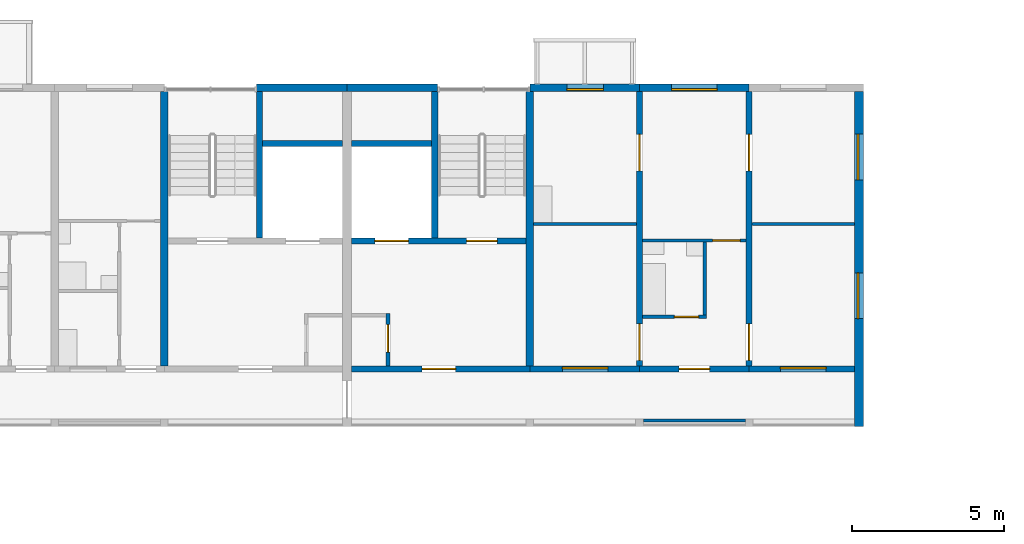
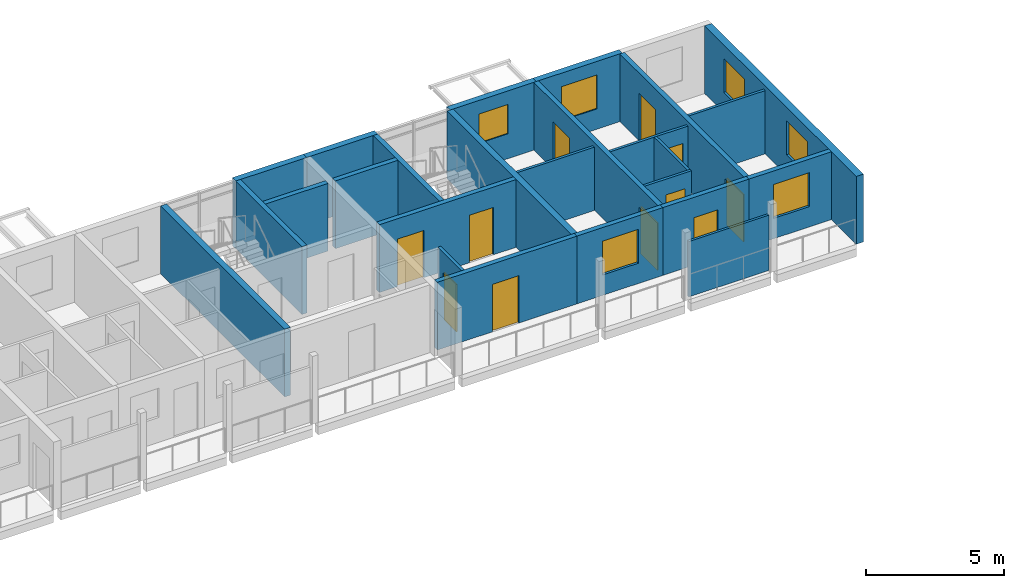
# One storey, part 72 of 115: 25 walls, 11 doors, 6 windows, 17 openings.
"""IFC4 building model written with IfcOpenShell, lengths in metres."""

from ifc_helpers import new_model, si_unit, direction, frame, frame_2d, origin, place, context, subcontext, project, spatial, rectangle, extrude, material, layer, layer_set, type_object, element, fill, save


model = new_model("IFC4")

# Units and contexts
model_context = context("Model", 3, precision=1e-05, world=origin(), true_north=direction((0.0, 1.0)))
body_context = subcontext(model_context, "Body", "Model", "MODEL_VIEW")
ifc_project = project(units=[si_unit("LENGTHUNIT", "METRE"), si_unit("AREAUNIT", "SQUARE_METRE"), si_unit("VOLUMEUNIT", "CUBIC_METRE"), si_unit("PLANEANGLEUNIT", "RADIAN"), si_unit("MASSUNIT", "GRAM", prefix="KILO")], contexts=[model_context])

# Site, building, storey
site_placement = place(None, origin())
site = spatial("IfcSite", under=ifc_project, at=site_placement, CompositionType="ELEMENT")
building_placement = place(site_placement, origin())
building = spatial("IfcBuilding", under=site, at=building_placement, Name="Ridgestep Commons", CompositionType="ELEMENT")
storey_placement = place(building_placement, frame((0.0, 0.0, 6.0)))
storey = spatial("IfcBuildingStorey", under=building, at=storey_placement, Name="L02", CompositionType="ELEMENT", Elevation=6.0)

# Walls
ifc_material_1 = material(Name="Concrete C30/37", Category="concrete")
ifc_layer_1 = layer(ifc_material_1, 0.25)
ifc_layer_set_1 = layer_set([ifc_layer_1], Name="Core cross wall 250")
wall_type_1 = type_object("IfcWallType", Name="Core cross wall 250", PredefinedType="SHEAR", material=ifc_layer_set_1)
for number, where, z_axis, x_axis, name in (
    (1, (224.800048828125, 68.0, 0.0), (0.0, 0.0, 1.0), (0.0, 1.0, 0.0), "Cross wall C-02-2248"),
    (2, (236.800048828125, 68.0, 0.0), (0.0, 0.0, 1.0), (0.0, 1.0, 0.0), "Cross wall C-02-2368"),
):
    element("IfcWall", number, at=place(storey_placement, frame(where, z_axis=z_axis, x_axis=x_axis)), inside=storey, type_object=wall_type_1, Name=name, PredefinedType="SHEAR", context=body_context, shape_type="SweptSolid", body=[
        extrude(rectangle(XDim=9.0, YDim=0.25, at=frame_2d((4.5, 0.0))), origin(), (0.0, 0.0, 1.0), 3.0),
    ])

# Wall, opening, door
ifc_material_2 = material(Name="Concrete C30/37", Category="concrete")
ifc_layer_2 = layer(ifc_material_2, 0.199951171875)
ifc_layer_set_2 = layer_set([ifc_layer_2], Name="Core south wall 200")
wall_type_2 = type_object("IfcWallType", Name="Core south wall 200", PredefinedType="SHEAR", material=ifc_layer_set_2)
wall_1_placement = place(storey_placement, frame((230.949951171875, 67.89990234375, 0.0), z_axis=(0.0, 0.0, 1.0), x_axis=(1.0, 0.0, 0.0)))
wall_1 = element("IfcWall", 3, at=wall_1_placement, inside=storey, type_object=wall_type_2, Name="Core south wall C6C L02", PredefinedType="SHEAR", context=body_context, shape_type="SweptSolid", body=[
    extrude(rectangle(XDim=5.85009765625, YDim=0.199951171875, at=frame_2d((2.925048828125, 0.0))), origin(), (0.0, 0.0, 1.0), 3.0),
])
opening_1_placement = place(wall_1_placement, frame((2.3125, 0.0, 0.0)))
opening_1 = element("IfcOpeningElement", 4, at=opening_1_placement, cuts=wall_1, Name="Opening C6C/02/1", PredefinedType="OPENING", context=body_context, shape_type="SweptSolid", body=[
    extrude(rectangle(XDim=1.10009765625, YDim=2.10009765625, at=frame_2d((0.550048828125, 1.050048828125))), frame((0.0, 0.10986328125, 0.0), z_axis=(0.0, -1.0, 0.0), x_axis=(1.0, 0.0, 0.0)), (0.0, 0.0, 1.0), 0.219970703125),
])
ifc_material_3 = material(Name="Steel fire door", Category="steel")
door_type_1 = type_object("IfcDoorType", Name="Lobby door 1100 x 2100 FD60", OperationType="NOTDEFINED", PredefinedType="DOOR", material=ifc_material_3)
door_1_placement = place(opening_1_placement, origin())
door_1 = element("IfcDoor", 5, at=door_1_placement, inside=storey, type_object=door_type_1, Name="Lobby door C6C/02/1", OperationType="SINGLE_SWING_LEFT", OverallHeight=2.10009765625, OverallWidth=1.10009765625, PredefinedType="DOOR", context=body_context, shape_type="SweptSolid", body=[
    extrude(rectangle(XDim=1.10009765625, YDim=2.10009765625, at=frame_2d((0.550048828125, 1.050048828125))), frame((0.0, 0.02490234375, 0.0), z_axis=(0.0, -1.0, 0.0), x_axis=(1.0, 0.0, 0.0)), (0.0, 0.0, 1.0), 0.050048828125),
])
fill(opening_1, door_1)

ifc_material_4 = material(Name="Concrete C30/37", Category="concrete")
ifc_layer_3 = layer(ifc_material_4, 0.1201171875)
ifc_layer_set_3 = layer_set([ifc_layer_3], Name="Core wall 120")
wall_type_3 = type_object("IfcWallType", Name="Core wall 120", PredefinedType="SHEAR", material=ifc_layer_set_3)
wall_2_placement = place(storey_placement, frame((232.139892578125, 68.0, 0.0), z_axis=(0.0, 0.0, 1.0), x_axis=(0.0, 1.0, 0.0)))
wall_2 = element("IfcWall", 6, at=wall_2_placement, inside=storey, type_object=wall_type_3, Name="Core riser w wall C6C L02", PredefinedType="SHEAR", context=body_context, shape_type="SweptSolid", body=[
    extrude(rectangle(XDim=1.719970703125, YDim=0.1201171875, at=frame_2d((0.85986328125, 0.0))), origin(), (0.0, 0.0, 1.0), 3.0),
])
opening_2_placement = place(wall_2_placement, frame((0.449951171875, 0.0, 0.0)))
opening_2 = element("IfcOpeningElement", 7, at=opening_2_placement, cuts=wall_2, Name="Opening C6C/02/4", PredefinedType="OPENING", context=body_context, shape_type="SweptSolid", body=[
    extrude(rectangle(XDim=0.89990234375, YDim=2.10009765625, at=frame_2d((0.449951171875, 1.050048828125))), frame((0.0, 0.070068359375, 0.0), z_axis=(0.0, -1.0, 0.0), x_axis=(1.0, 0.0, 0.0)), (0.0, 0.0, 1.0), 0.14013671875),
])
ifc_material_5 = material(Name="Steel fire door", Category="steel")
door_type_2 = type_object("IfcDoorType", Name="Riser door 900 x 2100 FD60", OperationType="NOTDEFINED", PredefinedType="DOOR", material=ifc_material_5)
door_2_placement = place(opening_2_placement, origin())
door_2 = element("IfcDoor", 8, at=door_2_placement, inside=storey, type_object=door_type_2, Name="Riser door C6C/02/4", OperationType="SINGLE_SWING_RIGHT", OverallHeight=2.10009765625, OverallWidth=0.89990234375, PredefinedType="DOOR", context=body_context, shape_type="SweptSolid", body=[
    extrude(rectangle(XDim=0.89990234375, YDim=2.10009765625, at=frame_2d((0.449951171875, 1.050048828125))), frame((0.0, 0.02490234375, 0.0), z_axis=(0.0, -1.0, 0.0), x_axis=(1.0, 0.0, 0.0)), (0.0, 0.0, 1.0), 0.050048828125),
])
fill(opening_2, door_2)

# Walls
ifc_material_6 = material(Name="Concrete C30/37", Category="concrete")
ifc_layer_4 = layer(ifc_material_6, 0.199951171875)
ifc_layer_set_4 = layer_set([ifc_layer_4], Name="Core wall 200")
wall_type_4 = type_object("IfcWallType", Name="Core wall 200", PredefinedType="SHEAR", material=ifc_layer_set_4)
wall_3_placement = place(storey_placement, frame((227.925048828125, 72.199951171875, 0.0), z_axis=(0.0, 0.0, 1.0), x_axis=(0.0, 1.0, 0.0)))
element("IfcWall", 9, at=wall_3_placement, inside=storey, type_object=wall_type_4, Name="Core stair wall C5C L02", PredefinedType="SHEAR", context=body_context, shape_type="SweptSolid", body=[
    extrude(rectangle(XDim=4.800048828125, YDim=0.199951171875, at=frame_2d((2.39990234375, 0.0))), origin(), (0.0, 0.0, 1.0), 3.0),
])
wall_4_placement = place(storey_placement, frame((228.02490234375, 75.300048828125, 0.0), z_axis=(0.0, 0.0, 1.0), x_axis=(1.0, 0.0, 0.0)))
element("IfcWall", 10, at=wall_4_placement, inside=storey, type_object=wall_type_4, Name="Core duct wall C5C L02", PredefinedType="SHEAR", context=body_context, shape_type="SweptSolid", body=[
    extrude(rectangle(XDim=2.625, YDim=0.199951171875, at=frame_2d((1.3125, 0.0))), origin(), (0.0, 0.0, 1.0), 3.0),
])

# Wall, openings, doors
wall_5_placement = place(storey_placement, frame((230.949951171875, 72.10009765625, 0.0), z_axis=(0.0, 0.0, 1.0), x_axis=(1.0, 0.0, 0.0)))
wall_5 = element("IfcWall", 11, at=wall_5_placement, inside=storey, type_object=wall_type_4, Name="Core lobby wall C6C L02", PredefinedType="SHEAR", context=body_context, shape_type="SweptSolid", body=[
    extrude(rectangle(XDim=5.72509765625, YDim=0.199951171875, at=frame_2d((2.862548828125, 0.0))), origin(), (0.0, 0.0, 1.0), 3.0),
])
opening_3_placement = place(wall_5_placement, frame((3.77490234375, 0.0, 0.0)))
opening_3 = element("IfcOpeningElement", 12, at=opening_3_placement, cuts=wall_5, Name="Opening C6C/02/2", PredefinedType="OPENING", context=body_context, shape_type="SweptSolid", body=[
    extrude(rectangle(XDim=1.0, YDim=2.10009765625, at=frame_2d((0.5, 1.050048828125))), frame((0.0, 0.10986328125, 0.0), z_axis=(0.0, -1.0, 0.0), x_axis=(1.0, 0.0, 0.0)), (0.0, 0.0, 1.0), 0.219970703125),
])
opening_4_placement = place(wall_5_placement, frame((0.762451171875, 0.0, 0.0)))
opening_4 = element("IfcOpeningElement", 13, at=opening_4_placement, cuts=wall_5, Name="Opening C6C/02/3", PredefinedType="OPENING", context=body_context, shape_type="SweptSolid", body=[
    extrude(rectangle(XDim=1.10009765625, YDim=2.10009765625, at=frame_2d((0.550048828125, 1.050048828125))), frame((0.0, 0.10986328125, 0.0), z_axis=(0.0, -1.0, 0.0), x_axis=(1.0, 0.0, 0.0)), (0.0, 0.0, 1.0), 0.219970703125),
])
ifc_material_7 = material(Name="Stainless steel", Category="steel")
door_type_3 = type_object("IfcDoorType", Name="Lift landing door 1100 x 2100 FD60", OperationType="DOUBLE_DOOR_SLIDING", PredefinedType="DOOR", material=ifc_material_7)
door_3_placement = place(opening_4_placement, origin())
door_3 = element("IfcDoor", 14, at=door_3_placement, inside=storey, type_object=door_type_3, Name="Landing door LD C6C L02", OperationType="DOUBLE_DOOR_SLIDING", OverallHeight=2.10009765625, OverallWidth=1.10009765625, PredefinedType="DOOR", context=body_context, shape_type="SweptSolid", body=[
    extrude(rectangle(XDim=1.10009765625, YDim=2.10009765625, at=frame_2d((0.550048828125, 1.050048828125))), frame((0.0, 0.02490234375, 0.0), z_axis=(0.0, -1.0, 0.0), x_axis=(1.0, 0.0, 0.0)), (0.0, 0.0, 1.0), 0.050048828125),
])
fill(opening_4, door_3)
ifc_material_8 = material(Name="Steel fire door", Category="steel")
door_type_4 = type_object("IfcDoorType", Name="Stair door 1000 x 2100 FD60", OperationType="NOTDEFINED", PredefinedType="DOOR", material=ifc_material_8)
door_4_placement = place(opening_3_placement, origin())
door_4 = element("IfcDoor", 15, at=door_4_placement, inside=storey, type_object=door_type_4, Name="Stair door C6C/02/2", OperationType="SINGLE_SWING_RIGHT", OverallHeight=2.10009765625, OverallWidth=1.0, PredefinedType="DOOR", context=body_context, shape_type="SweptSolid", body=[
    extrude(rectangle(XDim=1.0, YDim=2.10009765625, at=frame_2d((0.5, 1.050048828125))), frame((0.0, 0.02490234375, 0.0), z_axis=(0.0, -1.0, 0.0), x_axis=(1.0, 0.0, 0.0)), (0.0, 0.0, 1.0), 0.050048828125),
])
fill(opening_3, door_4)

# Walls
wall_6_placement = place(storey_placement, frame((233.675048828125, 72.199951171875, 0.0), z_axis=(0.0, 0.0, 1.0), x_axis=(0.0, 1.0, 0.0)))
element("IfcWall", 16, at=wall_6_placement, inside=storey, type_object=wall_type_4, Name="Core stair wall C6C L02", PredefinedType="SHEAR", context=body_context, shape_type="SweptSolid", body=[
    extrude(rectangle(XDim=4.800048828125, YDim=0.199951171875, at=frame_2d((2.39990234375, 0.0))), origin(), (0.0, 0.0, 1.0), 3.0),
])
wall_7_placement = place(storey_placement, frame((230.949951171875, 75.300048828125, 0.0), z_axis=(0.0, 0.0, 1.0), x_axis=(1.0, 0.0, 0.0)))
element("IfcWall", 17, at=wall_7_placement, inside=storey, type_object=wall_type_4, Name="Core duct wall C6C L02", PredefinedType="SHEAR", context=body_context, shape_type="SweptSolid", body=[
    extrude(rectangle(XDim=2.625, YDim=0.199951171875, at=frame_2d((1.3125, 0.0))), origin(), (0.0, 0.0, 1.0), 3.0),
])

# Wall, openings, doors
ifc_material_9 = material(Name="Precast concrete C40/50", Category="concrete")
ifc_layer_5 = layer(ifc_material_9, 0.199951171875)
ifc_layer_set_5 = layer_set([ifc_layer_5], Name="Cross wall 200")
wall_type_5 = type_object("IfcWallType", Name="Cross wall 200", PredefinedType="SHEAR", material=ifc_layer_set_5)
wall_8_placement = place(storey_placement, frame((240.39990234375, 68.0, 0.0), z_axis=(0.0, 0.0, 1.0), x_axis=(0.0, 1.0, 0.0)))
wall_8 = element("IfcWall", 18, at=wall_8_placement, inside=storey, type_object=wall_type_5, Name="Cross wall C-02-2404", PredefinedType="SHEAR", context=body_context, shape_type="SweptSolid", body=[
    extrude(rectangle(XDim=9.0, YDim=0.199951171875, at=frame_2d((4.5, 0.0))), origin(), (0.0, 0.0, 1.0), 3.0),
])
opening_5_placement = place(wall_8_placement, frame((0.175048828125, 0.0, 0.0)))
opening_5 = element("IfcOpeningElement", 19, at=opening_5_placement, cuts=wall_8, Name="Opening C6-02a/4", PredefinedType="OPENING", context=body_context, shape_type="SweptSolid", body=[
    extrude(rectangle(XDim=1.199951171875, YDim=2.10009765625, at=frame_2d((0.60009765625, 1.050048828125))), frame((0.0, 0.10986328125, 0.0), z_axis=(0.0, -1.0, 0.0), x_axis=(1.0, 0.0, 0.0)), (0.0, 0.0, 1.0), 0.219970703125),
])
opening_6_placement = place(wall_8_placement, frame((6.39990234375, 0.0, 0.0)))
opening_6 = element("IfcOpeningElement", 20, at=opening_6_placement, cuts=wall_8, Name="Opening C6-02a/5", PredefinedType="OPENING", context=body_context, shape_type="SweptSolid", body=[
    extrude(rectangle(XDim=1.199951171875, YDim=2.10009765625, at=frame_2d((0.60009765625, 1.050048828125))), frame((0.0, 0.10986328125, 0.0), z_axis=(0.0, -1.0, 0.0), x_axis=(1.0, 0.0, 0.0)), (0.0, 0.0, 1.0), 0.219970703125),
])
ifc_material_10 = material(Name="Timber door leaf", Category="wood")
door_type_5 = type_object("IfcDoorType", Name="Double door 1200 x 2100", OperationType="DOUBLE_DOOR_SINGLE_SWING", PredefinedType="DOOR", material=ifc_material_10)
door_5_placement = place(opening_5_placement, origin())
door_5 = element("IfcDoor", 21, at=door_5_placement, inside=storey, type_object=door_type_5, Name="Double door C6-02a/4", OperationType="DOUBLE_DOOR_SINGLE_SWING", OverallHeight=2.10009765625, OverallWidth=1.199951171875, PredefinedType="DOOR", context=body_context, shape_type="SweptSolid", body=[
    extrude(rectangle(XDim=1.199951171875, YDim=2.10009765625, at=frame_2d((0.60009765625, 1.050048828125))), frame((0.0, 0.02490234375, 0.0), z_axis=(0.0, -1.0, 0.0), x_axis=(1.0, 0.0, 0.0)), (0.0, 0.0, 1.0), 0.050048828125),
])
fill(opening_5, door_5)
door_6_placement = place(opening_6_placement, origin())
door_6 = element("IfcDoor", 22, at=door_6_placement, inside=storey, type_object=door_type_5, Name="Double door C6-02a/5", OperationType="DOUBLE_DOOR_SINGLE_SWING", OverallHeight=2.10009765625, OverallWidth=1.199951171875, PredefinedType="DOOR", context=body_context, shape_type="SweptSolid", body=[
    extrude(rectangle(XDim=1.199951171875, YDim=2.10009765625, at=frame_2d((0.60009765625, 1.050048828125))), frame((0.0, 0.02490234375, 0.0), z_axis=(0.0, -1.0, 0.0), x_axis=(1.0, 0.0, 0.0)), (0.0, 0.0, 1.0), 0.050048828125),
])
fill(opening_6, door_6)

wall_9_placement = place(storey_placement, frame((244.0, 68.0, 0.0), z_axis=(0.0, 0.0, 1.0), x_axis=(0.0, 1.0, 0.0)))
wall_9 = element("IfcWall", 23, at=wall_9_placement, inside=storey, type_object=wall_type_5, Name="Cross wall C-02-2440", PredefinedType="SHEAR", context=body_context, shape_type="SweptSolid", body=[
    extrude(rectangle(XDim=9.0, YDim=0.199951171875, at=frame_2d((4.5, 0.0))), origin(), (0.0, 0.0, 1.0), 3.0),
])
opening_7_placement = place(wall_9_placement, frame((0.175048828125, 0.0, 0.0)))
opening_7 = element("IfcOpeningElement", 24, at=opening_7_placement, cuts=wall_9, Name="Opening C6-02a/6", PredefinedType="OPENING", context=body_context, shape_type="SweptSolid", body=[
    extrude(rectangle(XDim=1.199951171875, YDim=2.10009765625, at=frame_2d((0.60009765625, 1.050048828125))), frame((0.0, 0.10986328125, 0.0), z_axis=(0.0, -1.0, 0.0), x_axis=(1.0, 0.0, 0.0)), (0.0, 0.0, 1.0), 0.219970703125),
])
opening_8_placement = place(wall_9_placement, frame((6.39990234375, 0.0, 0.0)))
opening_8 = element("IfcOpeningElement", 25, at=opening_8_placement, cuts=wall_9, Name="Opening C6-02a/7", PredefinedType="OPENING", context=body_context, shape_type="SweptSolid", body=[
    extrude(rectangle(XDim=1.199951171875, YDim=2.10009765625, at=frame_2d((0.60009765625, 1.050048828125))), frame((0.0, 0.10986328125, 0.0), z_axis=(0.0, -1.0, 0.0), x_axis=(1.0, 0.0, 0.0)), (0.0, 0.0, 1.0), 0.219970703125),
])
door_7_placement = place(opening_7_placement, origin())
door_7 = element("IfcDoor", 26, at=door_7_placement, inside=storey, type_object=door_type_5, Name="Double door C6-02a/6", OperationType="DOUBLE_DOOR_SINGLE_SWING", OverallHeight=2.10009765625, OverallWidth=1.199951171875, PredefinedType="DOOR", context=body_context, shape_type="SweptSolid", body=[
    extrude(rectangle(XDim=1.199951171875, YDim=2.10009765625, at=frame_2d((0.60009765625, 1.050048828125))), frame((0.0, 0.02490234375, 0.0), z_axis=(0.0, -1.0, 0.0), x_axis=(1.0, 0.0, 0.0)), (0.0, 0.0, 1.0), 0.050048828125),
])
fill(opening_7, door_7)
door_8_placement = place(opening_8_placement, origin())
door_8 = element("IfcDoor", 27, at=door_8_placement, inside=storey, type_object=door_type_5, Name="Double door C6-02a/7", OperationType="DOUBLE_DOOR_SINGLE_SWING", OverallHeight=2.10009765625, OverallWidth=1.199951171875, PredefinedType="DOOR", context=body_context, shape_type="SweptSolid", body=[
    extrude(rectangle(XDim=1.199951171875, YDim=2.10009765625, at=frame_2d((0.60009765625, 1.050048828125))), frame((0.0, 0.02490234375, 0.0), z_axis=(0.0, -1.0, 0.0), x_axis=(1.0, 0.0, 0.0)), (0.0, 0.0, 1.0), 0.050048828125),
])
fill(opening_8, door_8)

# Wall, openings, windows
ifc_material_11 = material(Name="Precast concrete C40/50", Category="concrete")
ifc_layer_6 = layer(ifc_material_11, 0.300048828125)
ifc_layer_set_6 = layer_set([ifc_layer_6], Name="Exposed division wall 300")
wall_type_6 = type_object("IfcWallType", Name="Exposed division wall 300", PredefinedType="SHEAR", material=ifc_layer_set_6)
wall_10_placement = place(storey_placement, frame((247.60009765625, 66.0, 0.0), z_axis=(0.0, 0.0, 1.0), x_axis=(0.0, 1.0, 0.0)))
wall_10 = element("IfcWall", 28, at=wall_10_placement, inside=storey, type_object=wall_type_6, Name="Cross wall C-02-2476", PredefinedType="SHEAR", context=body_context, shape_type="SweptSolid", body=[
    extrude(rectangle(XDim=11.0, YDim=0.300048828125, at=frame_2d((5.5, 0.0))), origin(), (0.0, 0.0, 1.0), 3.0),
])
opening_9_placement = place(wall_10_placement, frame((3.550048828125, 0.0, 0.89990234375)))
opening_9 = element("IfcOpeningElement", 29, at=opening_9_placement, cuts=wall_10, Name="Opening W16", PredefinedType="OPENING", context=body_context, shape_type="SweptSolid", body=[
    extrude(rectangle(XDim=1.5, YDim=1.5, at=frame_2d((0.75, 0.75))), frame((0.0, 0.159912109375, 0.0), z_axis=(0.0, -1.0, 0.0), x_axis=(1.0, 0.0, 0.0)), (0.0, 0.0, 1.0), 0.320068359375),
])
opening_10_placement = place(wall_10_placement, frame((8.10498046875, 0.0, 0.89990234375)))
opening_10 = element("IfcOpeningElement", 30, at=opening_10_placement, cuts=wall_10, Name="Opening W16", PredefinedType="OPENING", context=body_context, shape_type="SweptSolid", body=[
    extrude(rectangle(XDim=1.5, YDim=1.5, at=frame_2d((0.75, 0.75))), frame((0.0, 0.159912109375, 0.0), z_axis=(0.0, -1.0, 0.0), x_axis=(1.0, 0.0, 0.0)), (0.0, 0.0, 1.0), 0.320068359375),
])
ifc_material_12 = material(Name="Aluminium 6063-T6 and glass", Category="aluminium")
window_type_1 = type_object("IfcWindowType", Name="Flat window 1500 x 1500", PartitioningType="DOUBLE_PANEL_VERTICAL", PredefinedType="WINDOW", material=ifc_material_12)
window_1_placement = place(opening_9_placement, origin())
window_1 = element("IfcWindow", 31, at=window_1_placement, inside=storey, type_object=window_type_1, Name="Window C6-02a 6", OverallHeight=1.5, OverallWidth=1.5, PartitioningType="SINGLE_PANEL", PredefinedType="WINDOW", context=body_context, shape_type="SweptSolid", body=[
    extrude(rectangle(XDim=1.5, YDim=1.5, at=frame_2d((0.75, 0.75))), frame((0.0, 0.06005859375, 0.0), z_axis=(0.0, -1.0, 0.0), x_axis=(1.0, 0.0, 0.0)), (0.0, 0.0, 1.0), 0.06005859375),
])
fill(opening_9, window_1)
window_2_placement = place(opening_10_placement, origin())
window_2 = element("IfcWindow", 32, at=window_2_placement, inside=storey, type_object=window_type_1, Name="Window C6-02a 7", OverallHeight=1.5, OverallWidth=1.5, PartitioningType="SINGLE_PANEL", PredefinedType="WINDOW", context=body_context, shape_type="SweptSolid", body=[
    extrude(rectangle(XDim=1.5, YDim=1.5, at=frame_2d((0.75, 0.75))), frame((0.0, 0.06005859375, 0.0), z_axis=(0.0, -1.0, 0.0), x_axis=(1.0, 0.0, 0.0)), (0.0, 0.0, 1.0), 0.06005859375),
])
fill(opening_10, window_2)

# Walls
ifc_material_13 = material(Name="Precast concrete C40/50", Category="concrete")
ifc_layer_7 = layer(ifc_material_13, 0.25)
ifc_layer_set_7 = layer_set([ifc_layer_7], Name="North facade panel 250")
wall_type_7 = type_object("IfcWallType", Name="North facade panel 250", PredefinedType="SOLIDWALL", material=ifc_layer_set_7)
wall_11_placement = place(storey_placement, frame((227.824951171875, 77.125, 0.0), z_axis=(0.0, 0.0, 1.0), x_axis=(1.0, 0.0, 0.0)))
element("IfcWall", 33, at=wall_11_placement, inside=storey, type_object=wall_type_7, Name="North panel C5C L02", PredefinedType="SOLIDWALL", context=body_context, shape_type="SweptSolid", body=[
    extrude(rectangle(XDim=2.97509765625, YDim=0.25, at=frame_2d((1.487548828125, 0.0))), origin(), (0.0, 0.0, 1.0), 3.0),
])
wall_12_placement = place(storey_placement, frame((230.800048828125, 77.125, 0.0), z_axis=(0.0, 0.0, 1.0), x_axis=(1.0, 0.0, 0.0)))
element("IfcWall", 34, at=wall_12_placement, inside=storey, type_object=wall_type_7, Name="North panel C6C L02", PredefinedType="SOLIDWALL", context=body_context, shape_type="SweptSolid", body=[
    extrude(rectangle(XDim=2.974853515625, YDim=0.25, at=frame_2d((1.4873046875, 0.0))), origin(), (0.0, 0.0, 1.0), 3.0),
])

# Wall, opening, window
wall_13_placement = place(storey_placement, frame((236.800048828125, 77.125, 0.0), z_axis=(0.0, 0.0, 1.0), x_axis=(1.0, 0.0, 0.0)))
wall_13 = element("IfcWall", 35, at=wall_13_placement, inside=storey, type_object=wall_type_7, Name="North panel C6T3 L02", PredefinedType="SOLIDWALL", context=body_context, shape_type="SweptSolid", body=[
    extrude(rectangle(XDim=3.599853515625, YDim=0.25, at=frame_2d((1.7998046875, 0.0))), origin(), (0.0, 0.0, 1.0), 3.0),
])
opening_11_placement = place(wall_13_placement, frame((1.21240234375, 0.0, 1.10009765625)))
opening_11 = element("IfcOpeningElement", 36, at=opening_11_placement, cuts=wall_13, Name="Opening W08", PredefinedType="OPENING", context=body_context, shape_type="SweptSolid", body=[
    extrude(rectangle(XDim=1.199951171875, YDim=1.300048828125, at=frame_2d((0.60009765625, 0.64990234375))), frame((0.0, 0.135009765625, 0.0), z_axis=(0.0, -1.0, 0.0), x_axis=(1.0, 0.0, 0.0)), (0.0, 0.0, 1.0), 0.27001953125),
])
ifc_material_14 = material(Name="Aluminium 6063-T6 and glass", Category="aluminium")
window_type_2 = type_object("IfcWindowType", Name="Flat window 1200 x 1300", PartitioningType="SINGLE_PANEL", PredefinedType="WINDOW", material=ifc_material_14)
window_3_placement = place(opening_11_placement, origin())
window_3 = element("IfcWindow", 37, at=window_3_placement, inside=storey, type_object=window_type_2, Name="Window C6-02a 2", OverallHeight=1.300048828125, OverallWidth=1.199951171875, PartitioningType="SINGLE_PANEL", PredefinedType="WINDOW", context=body_context, shape_type="SweptSolid", body=[
    extrude(rectangle(XDim=1.199951171875, YDim=1.300048828125, at=frame_2d((0.60009765625, 0.64990234375))), frame((0.0, -0.02490234375, 0.0), z_axis=(0.0, -1.0, 0.0), x_axis=(1.0, 0.0, 0.0)), (0.0, 0.0, 1.0), 0.06005859375),
])
fill(opening_11, window_3)

wall_14_placement = place(storey_placement, frame((240.39990234375, 77.125, 0.0), z_axis=(0.0, 0.0, 1.0), x_axis=(1.0, 0.0, 0.0)))
wall_14 = element("IfcWall", 38, at=wall_14_placement, inside=storey, type_object=wall_type_7, Name="North panel C6T2 L02", PredefinedType="SOLIDWALL", context=body_context, shape_type="SweptSolid", body=[
    extrude(rectangle(XDim=3.60009765625, YDim=0.25, at=frame_2d((1.800048828125, 0.0))), origin(), (0.0, 0.0, 1.0), 3.0),
])
opening_12_placement = place(wall_14_placement, frame((1.050048828125, 0.0, 0.89990234375)))
opening_12 = element("IfcOpeningElement", 39, at=opening_12_placement, cuts=wall_14, Name="Opening W16", PredefinedType="OPENING", context=body_context, shape_type="SweptSolid", body=[
    extrude(rectangle(XDim=1.5, YDim=1.5, at=frame_2d((0.75, 0.75))), frame((0.0, 0.135009765625, 0.0), z_axis=(0.0, -1.0, 0.0), x_axis=(1.0, 0.0, 0.0)), (0.0, 0.0, 1.0), 0.27001953125),
])
window_4_placement = place(opening_12_placement, origin())
window_4 = element("IfcWindow", 40, at=window_4_placement, inside=storey, type_object=window_type_1, Name="Window C6-02a 5", OverallHeight=1.5, OverallWidth=1.5, PartitioningType="SINGLE_PANEL", PredefinedType="WINDOW", context=body_context, shape_type="SweptSolid", body=[
    extrude(rectangle(XDim=1.5, YDim=1.5, at=frame_2d((0.75, 0.75))), frame((0.0, -0.02490234375, 0.0), z_axis=(0.0, -1.0, 0.0), x_axis=(1.0, 0.0, 0.0)), (0.0, 0.0, 1.0), 0.06005859375),
])
fill(opening_12, window_4)

# Wall, opening, door
ifc_material_15 = material(Name="Common brick 110 mm", Category="masonry")
ifc_layer_8 = layer(ifc_material_15, 0.110107421875)
ifc_layer_set_8 = layer_set([ifc_layer_8], Name="Partition 110")
wall_type_8 = type_object("IfcWallType", Name="Partition 110", PredefinedType="PARTITIONING", material=ifc_layer_set_8)
wall_15_placement = place(storey_placement, frame((240.5, 69.60498046875, 0.0), z_axis=(0.0, 0.0, 1.0), x_axis=(1.0, 0.0, 0.0)))
wall_15 = element("IfcWall", 41, at=wall_15_placement, inside=storey, type_object=wall_type_8, Name="Partition C6-02a", PredefinedType="PARTITIONING", context=body_context, shape_type="SweptSolid", body=[
    extrude(rectangle(XDim=2.10009765625, YDim=0.110107421875, at=frame_2d((1.050048828125, 0.0))), origin(), (0.0, 0.0, 1.0), 2.800048828125),
])
opening_13_placement = place(wall_15_placement, frame((1.0400390625, 0.0, 0.0)))
opening_13 = element("IfcOpeningElement", 42, at=opening_13_placement, cuts=wall_15, Name="Opening C6-02a/2", PredefinedType="OPENING", context=body_context, shape_type="SweptSolid", body=[
    extrude(rectangle(XDim=0.800048828125, YDim=2.10009765625, at=frame_2d((0.39990234375, 1.050048828125))), frame((0.0, 0.06494140625, 0.0), z_axis=(0.0, -1.0, 0.0), x_axis=(1.0, 0.0, 0.0)), (0.0, 0.0, 1.0), 0.130126953125),
])
ifc_material_16 = material(Name="Timber door leaf", Category="wood")
door_type_6 = type_object("IfcDoorType", Name="Internal door 800 x 2100", OperationType="NOTDEFINED", PredefinedType="DOOR", material=ifc_material_16)
door_9_placement = place(opening_13_placement, origin())
door_9 = element("IfcDoor", 43, at=door_9_placement, inside=storey, type_object=door_type_6, Name="Internal door C6-02a/2", OperationType="SINGLE_SWING_RIGHT", OverallHeight=2.10009765625, OverallWidth=0.800048828125, PredefinedType="DOOR", context=body_context, shape_type="SweptSolid", body=[
    extrude(rectangle(XDim=0.800048828125, YDim=2.10009765625, at=frame_2d((0.39990234375, 1.050048828125))), frame((0.0, 0.02490234375, 0.0), z_axis=(0.0, -1.0, 0.0), x_axis=(1.0, 0.0, 0.0)), (0.0, 0.0, 1.0), 0.050048828125),
])
fill(opening_13, door_9)

# Wall
wall_16_placement = place(storey_placement, frame((242.544921875, 69.659912109375, 0.0), z_axis=(0.0, 0.0, 1.0), x_axis=(0.0, 1.0, 0.0)))
element("IfcWall", 44, at=wall_16_placement, inside=storey, type_object=wall_type_8, Name="Partition C6-02a", PredefinedType="PARTITIONING", context=body_context, shape_type="SweptSolid", body=[
    extrude(rectangle(XDim=2.400146484375, YDim=0.110107421875, at=frame_2d((1.2001953125, 0.0))), origin(), (0.0, 0.0, 1.0), 2.800048828125),
])

# Wall, opening, door
wall_17_placement = place(storey_placement, frame((240.5, 72.114990234375, 0.0), z_axis=(0.0, 0.0, 1.0), x_axis=(1.0, 0.0, 0.0)))
wall_17 = element("IfcWall", 45, at=wall_17_placement, inside=storey, type_object=wall_type_8, Name="Partition C6-02a", PredefinedType="PARTITIONING", context=body_context, shape_type="SweptSolid", body=[
    extrude(rectangle(XDim=3.39990234375, YDim=0.110107421875, at=frame_2d((1.699951171875, 0.0))), origin(), (0.0, 0.0, 1.0), 2.800048828125),
])
opening_14_placement = place(wall_17_placement, frame((2.300048828125, 0.0, 0.0)))
opening_14 = element("IfcOpeningElement", 46, at=opening_14_placement, cuts=wall_17, Name="Opening C6-02a/3", PredefinedType="OPENING", context=body_context, shape_type="SweptSolid", body=[
    extrude(rectangle(XDim=0.89990234375, YDim=2.10009765625, at=frame_2d((0.449951171875, 1.050048828125))), frame((0.0, 0.06494140625, 0.0), z_axis=(0.0, -1.0, 0.0), x_axis=(1.0, 0.0, 0.0)), (0.0, 0.0, 1.0), 0.130126953125),
])
ifc_material_17 = material(Name="Timber door leaf", Category="wood")
door_type_7 = type_object("IfcDoorType", Name="Internal door 900 x 2100", OperationType="NOTDEFINED", PredefinedType="DOOR", material=ifc_material_17)
door_10_placement = place(opening_14_placement, origin())
door_10 = element("IfcDoor", 47, at=door_10_placement, inside=storey, type_object=door_type_7, Name="Internal door C6-02a/3", OperationType="SINGLE_SWING_LEFT", OverallHeight=2.10009765625, OverallWidth=0.89990234375, PredefinedType="DOOR", context=body_context, shape_type="SweptSolid", body=[
    extrude(rectangle(XDim=0.89990234375, YDim=2.10009765625, at=frame_2d((0.449951171875, 1.050048828125))), frame((0.0, 0.02490234375, 0.0), z_axis=(0.0, -1.0, 0.0), x_axis=(1.0, 0.0, 0.0)), (0.0, 0.0, 1.0), 0.050048828125),
])
fill(opening_14, door_10)

# Walls
wall_18_placement = place(storey_placement, frame((236.925048828125, 72.655029296875, 0.0), z_axis=(0.0, 0.0, 1.0), x_axis=(1.0, 0.0, 0.0)))
element("IfcWall", 48, at=wall_18_placement, inside=storey, type_object=wall_type_8, Name="Partition C6-02a", PredefinedType="PARTITIONING", context=body_context, shape_type="SweptSolid", body=[
    extrude(rectangle(XDim=3.375, YDim=0.110107421875, at=frame_2d((1.6875, 0.0))), origin(), (0.0, 0.0, 1.0), 2.800048828125),
])
wall_19_placement = place(storey_placement, frame((244.10009765625, 72.655029296875, 0.0), z_axis=(0.0, 0.0, 1.0), x_axis=(1.0, 0.0, 0.0)))
element("IfcWall", 49, at=wall_19_placement, inside=storey, type_object=wall_type_8, Name="Partition C6-02a", PredefinedType="PARTITIONING", context=body_context, shape_type="SweptSolid", body=[
    extrude(rectangle(XDim=3.349853515625, YDim=0.110107421875, at=frame_2d((1.6748046875, 0.0))), origin(), (0.0, 0.0, 1.0), 2.800048828125),
])
ifc_material_18 = material(Name="Precast concrete C30/37", Category="concrete")
ifc_layer_9 = layer(ifc_material_18, 0.10009765625)
ifc_layer_set_9 = layer_set([ifc_layer_9], Name="Perforated gallery screen 3350 x 2450 x 100")
wall_type_9 = type_object("IfcWallType", Name="Perforated gallery screen 3350 x 2450 x 100", PredefinedType="SOLIDWALL", material=ifc_layer_set_9)
wall_20_placement = place(storey_placement, frame((240.52490234375, 66.199951171875, 0.0), z_axis=(0.0, 0.0, 1.0), x_axis=(1.0, 0.0, 0.0)))
element("IfcWall", 50, at=wall_20_placement, inside=storey, type_object=wall_type_9, Name="Gallery screen C6T2 02", PredefinedType="SOLIDWALL", context=body_context, shape_type="SweptSolid", body=[
    extrude(rectangle(XDim=3.35009765625, YDim=0.10009765625, at=frame_2d((1.675048828125, 0.0))), origin(), (0.0, 0.0, 1.0), 2.449951171875),
])

# Wall, opening, window
ifc_material_19 = material(Name="Precast concrete C40/50", Category="concrete")
ifc_layer_10 = layer(ifc_material_19, 0.199951171875)
ifc_layer_set_10 = layer_set([ifc_layer_10], Name="South facade panel 200")
wall_type_10 = type_object("IfcWallType", Name="South facade panel 200", PredefinedType="SOLIDWALL", material=ifc_layer_set_10)
wall_21_placement = place(storey_placement, frame((236.800048828125, 67.89990234375, 0.0), z_axis=(0.0, 0.0, 1.0), x_axis=(1.0, 0.0, 0.0)))
wall_21 = element("IfcWall", 51, at=wall_21_placement, inside=storey, type_object=wall_type_10, Name="South panel C6T3 L02", PredefinedType="SOLIDWALL", context=body_context, shape_type="SweptSolid", body=[
    extrude(rectangle(XDim=3.599853515625, YDim=0.199951171875, at=frame_2d((1.7998046875, 0.0))), origin(), (0.0, 0.0, 1.0), 3.0),
])
opening_15_placement = place(wall_21_placement, frame((1.0625, 0.0, 0.89990234375)))
opening_15 = element("IfcOpeningElement", 52, at=opening_15_placement, cuts=wall_21, Name="Opening W16", PredefinedType="OPENING", context=body_context, shape_type="SweptSolid", body=[
    extrude(rectangle(XDim=1.5, YDim=1.5, at=frame_2d((0.75, 0.75))), frame((0.0, 0.10986328125, 0.0), z_axis=(0.0, -1.0, 0.0), x_axis=(1.0, 0.0, 0.0)), (0.0, 0.0, 1.0), 0.219970703125),
])
window_5_placement = place(opening_15_placement, origin())
window_5 = element("IfcWindow", 53, at=window_5_placement, inside=storey, type_object=window_type_1, Name="Window C6-02a 1", OverallHeight=1.5, OverallWidth=1.5, PartitioningType="SINGLE_PANEL", PredefinedType="WINDOW", context=body_context, shape_type="SweptSolid", body=[
    extrude(rectangle(XDim=1.5, YDim=1.5, at=frame_2d((0.75, 0.75))), frame((0.0, 0.06005859375, 0.0), z_axis=(0.0, -1.0, 0.0), x_axis=(1.0, 0.0, 0.0)), (0.0, 0.0, 1.0), 0.06005859375),
])
fill(opening_15, window_5)

# Wall, opening, door
wall_22_placement = place(storey_placement, frame((240.39990234375, 67.89990234375, 0.0), z_axis=(0.0, 0.0, 1.0), x_axis=(1.0, 0.0, 0.0)))
wall_22 = element("IfcWall", 54, at=wall_22_placement, inside=storey, type_object=wall_type_10, Name="South panel C6T2 L02", PredefinedType="SOLIDWALL", context=body_context, shape_type="SweptSolid", body=[
    extrude(rectangle(XDim=3.60009765625, YDim=0.199951171875, at=frame_2d((1.800048828125, 0.0))), origin(), (0.0, 0.0, 1.0), 3.0),
])
opening_16_placement = place(wall_22_placement, frame((1.300048828125, 0.0, 0.0)))
opening_16 = element("IfcOpeningElement", 55, at=opening_16_placement, cuts=wall_22, Name="Opening C6-02a/1", PredefinedType="OPENING", context=body_context, shape_type="SweptSolid", body=[
    extrude(rectangle(XDim=1.0, YDim=2.10009765625, at=frame_2d((0.5, 1.050048828125))), frame((0.0, 0.10986328125, 0.0), z_axis=(0.0, -1.0, 0.0), x_axis=(1.0, 0.0, 0.0)), (0.0, 0.0, 1.0), 0.219970703125),
])
ifc_material_20 = material(Name="Timber door leaf", Category="wood")
door_type_8 = type_object("IfcDoorType", Name="Flat entrance door 1000 x 2100 FD30S", OperationType="NOTDEFINED", PredefinedType="DOOR", material=ifc_material_20)
door_11_placement = place(opening_16_placement, origin())
door_11 = element("IfcDoor", 56, at=door_11_placement, inside=storey, type_object=door_type_8, Name="Flat entrance door C6-02a/1", OperationType="SINGLE_SWING_RIGHT", OverallHeight=2.10009765625, OverallWidth=1.0, PredefinedType="DOOR", context=body_context, shape_type="SweptSolid", body=[
    extrude(rectangle(XDim=1.0, YDim=2.10009765625, at=frame_2d((0.5, 1.050048828125))), frame((0.0, 0.02490234375, 0.0), z_axis=(0.0, -1.0, 0.0), x_axis=(1.0, 0.0, 0.0)), (0.0, 0.0, 1.0), 0.050048828125),
])
fill(opening_16, door_11)

# Wall, opening, window
wall_23_placement = place(storey_placement, frame((244.0, 67.89990234375, 0.0), z_axis=(0.0, 0.0, 1.0), x_axis=(1.0, 0.0, 0.0)))
wall_23 = element("IfcWall", 57, at=wall_23_placement, inside=storey, type_object=wall_type_10, Name="South panel C6T1 L02", PredefinedType="SOLIDWALL", context=body_context, shape_type="SweptSolid", body=[
    extrude(rectangle(XDim=3.449951171875, YDim=0.199951171875, at=frame_2d((1.72509765625, 0.0))), origin(), (0.0, 0.0, 1.0), 3.0),
])
opening_17_placement = place(wall_23_placement, frame((1.02490234375, 0.0, 0.89990234375)))
opening_17 = element("IfcOpeningElement", 58, at=opening_17_placement, cuts=wall_23, Name="Opening W16", PredefinedType="OPENING", context=body_context, shape_type="SweptSolid", body=[
    extrude(rectangle(XDim=1.5, YDim=1.5, at=frame_2d((0.75, 0.75))), frame((0.0, 0.10986328125, 0.0), z_axis=(0.0, -1.0, 0.0), x_axis=(1.0, 0.0, 0.0)), (0.0, 0.0, 1.0), 0.219970703125),
])
window_6_placement = place(opening_17_placement, origin())
window_6 = element("IfcWindow", 59, at=window_6_placement, inside=storey, type_object=window_type_1, Name="Window C6-02a 3", OverallHeight=1.5, OverallWidth=1.5, PartitioningType="SINGLE_PANEL", PredefinedType="WINDOW", context=body_context, shape_type="SweptSolid", body=[
    extrude(rectangle(XDim=1.5, YDim=1.5, at=frame_2d((0.75, 0.75))), frame((0.0, 0.06005859375, 0.0), z_axis=(0.0, -1.0, 0.0), x_axis=(1.0, 0.0, 0.0)), (0.0, 0.0, 1.0), 0.06005859375),
])
fill(opening_17, window_6)

save(model, "model.ifc")
